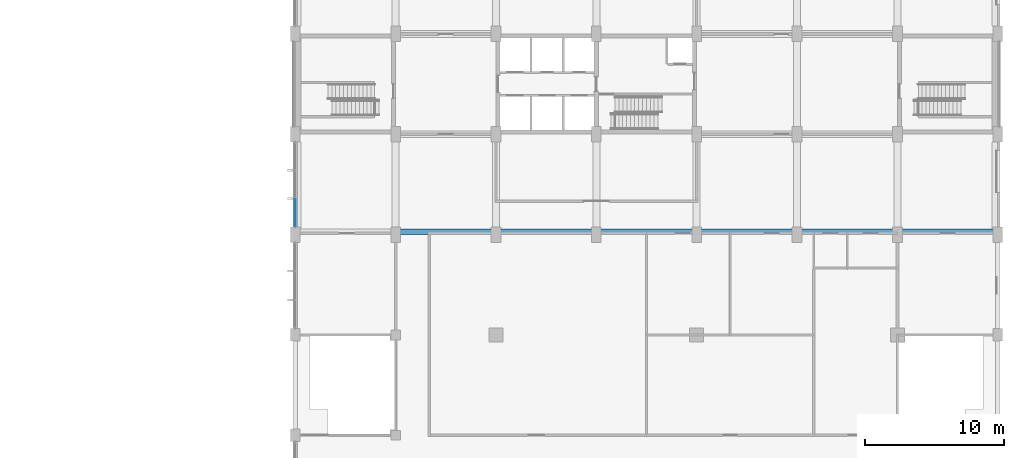
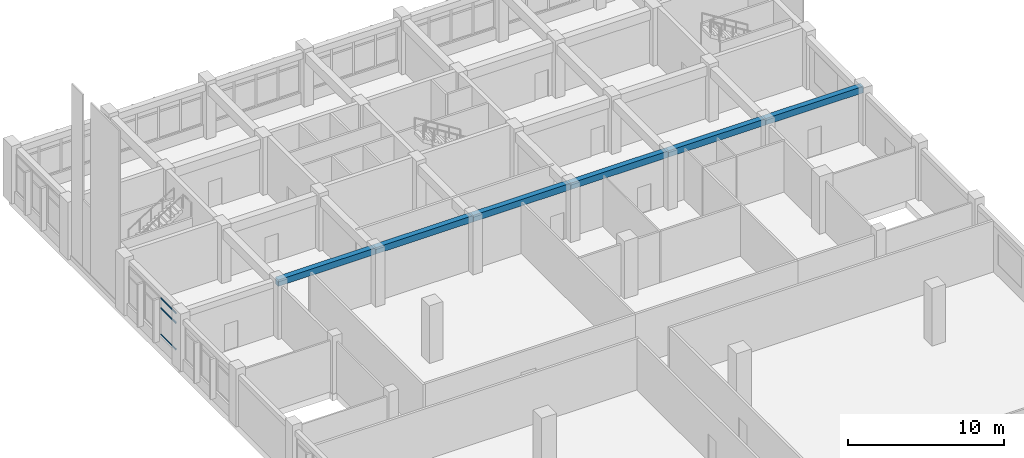
# One storey, part 16 of 52: 6 beams, 3 members, 1 element without a shape of its own.
"""IFC4 building model written with IfcOpenShell, lengths in metres."""

from ifc_helpers import new_model, si_unit, direction, frame, origin, origin_2d, place, context, subcontext, project, spatial, rectangle, extrude, material, layer, layer_set, material_profile, profile_set, type_object, element, aggregate, save


model = new_model("IFC4")

# Units and contexts
model_context = context("Model", 3, precision=1e-05, world=origin(), true_north=direction((0.0, 1.0)))
body_context = subcontext(model_context, "Body", "Model", "MODEL_VIEW")
ifc_project = project(units=[si_unit("LENGTHUNIT", "METRE"), si_unit("AREAUNIT", "SQUARE_METRE"), si_unit("VOLUMEUNIT", "CUBIC_METRE"), si_unit("PLANEANGLEUNIT", "RADIAN"), si_unit("MASSUNIT", "GRAM", prefix="KILO")], contexts=[model_context])

# Site, building, storey
site_placement = place(None, origin())
site = spatial("IfcSite", under=ifc_project, at=site_placement, CompositionType="ELEMENT")
building_placement = place(site_placement, origin())
building = spatial("IfcBuilding", under=site, at=building_placement, Name="Vermilion Court Aquatics Centre", CompositionType="ELEMENT")
storey_placement = place(building_placement, frame((0.0, 0.0, 12.0)))
storey = spatial("IfcBuildingStorey", under=building, at=storey_placement, Name="L02", CompositionType="ELEMENT", Elevation=12.0)

# Beams
ifc_material_1 = material(Name="Concrete 6000 psi", Category="concrete")
ifc_material_profile_1 = material_profile(ifc_material_1, rectangle(XDim=0.39990234375, YDim=0.5, at=origin_2d()), Name="RC 400x500")
ifc_profile_set_1 = profile_set([ifc_material_profile_1], Name="Concrete 6000 psi")
beam_type = type_object("IfcBeamType", Name="North block spandrel beam 400x500", PredefinedType="BEAM", material=ifc_profile_set_1)
beam_1_placement = place(storey_placement, frame((151.199951171875, 93.800048828125, 3.949951171875), z_axis=(1.0, 0.0, 0.0), x_axis=(0.0, 1.0, 0.0)))
element("IfcBeam", 1, at=beam_1_placement, inside=storey, type_object=beam_type, Name="Spandrel beam L03 x93.6", PredefinedType="BEAM", context=body_context, shape_type="SweptSolid", body=[
    extrude(rectangle(XDim=0.39990234375, YDim=0.5, at=origin_2d()), origin(), (0.0, 0.0, 1.0), 7.199951171875),
])
beam_2_placement = place(storey_placement, frame((158.39990234375, 93.800048828125, 3.949951171875), z_axis=(1.0, 0.0, 0.0), x_axis=(0.0, 1.0, 0.0)))
element("IfcBeam", 2, at=beam_2_placement, inside=storey, type_object=beam_type, Name="Spandrel beam L03 x93.6", PredefinedType="BEAM", context=body_context, shape_type="SweptSolid", body=[
    extrude(rectangle(XDim=0.39990234375, YDim=0.5, at=origin_2d()), origin(), (0.0, 0.0, 1.0), 7.2001953125),
])
for number, where, z_axis, x_axis, name in (
    (3, (165.60009765625, 93.800048828125, 3.949951171875), (1.0, 0.0, 0.0), (0.0, 1.0, 0.0), "Spandrel beam L03 x93.6"),
    (4, (172.800048828125, 93.800048828125, 3.949951171875), (1.0, 0.0, 0.0), (0.0, 1.0, 0.0), "Spandrel beam L03 x93.6"),
    (5, (180.0, 93.800048828125, 3.949951171875), (1.0, 0.0, 0.0), (0.0, 1.0, 0.0), "Spandrel beam L03 x93.6"),
    (6, (187.199951171875, 93.800048828125, 3.949951171875), (1.0, 0.0, 0.0), (0.0, 1.0, 0.0), "Spandrel beam L03 x93.6"),
):
    element("IfcBeam", number, at=place(storey_placement, frame(where, z_axis=z_axis, x_axis=x_axis)), inside=storey, type_object=beam_type, Name=name, PredefinedType="BEAM", context=body_context, shape_type="SweptSolid", body=[
        extrude(rectangle(XDim=0.39990234375, YDim=0.5, at=origin_2d()), origin(), (0.0, 0.0, 1.0), 7.199951171875),
    ])

# Curtain wall, members
ifc_material_2 = material(Name="Aluminium 6063-T5", Category="aluminium")
ifc_layer = layer(ifc_material_2, 0.14990234375)
ifc_layer_set = layer_set([ifc_layer], Name="Podium curtain wall bay, 1800 module")
curtain_wall_type = type_object("IfcCurtainWallType", Name="Podium curtain wall bay, 1800 module", PredefinedType="NOTDEFINED", material=ifc_layer_set)
curtain_wall_placement = place(storey_placement, origin())
curtain_wall = element("IfcCurtainWall", 7, at=curtain_wall_placement, inside=storey, type_object=curtain_wall_type, Name="Curtain wall L02", PredefinedType="NOTDEFINED")
ifc_material_3 = material(Name="Aluminium 6063-T5", Category="aluminium")
ifc_material_profile_2 = material_profile(ifc_material_3, rectangle(XDim=0.06005859375, YDim=0.1201171875, at=origin_2d()), Name="Transom 60x120")
ifc_profile_set_2 = profile_set([ifc_material_profile_2], Name="Aluminium 6063-T5")
member_type = type_object("IfcMemberType", Name="Podium curtain wall transom 60x120", PredefinedType="USERDEFINED", material=ifc_profile_set_2)
member_1_placement = place(storey_placement, frame((144.0, 94.2099609375, 0.929931640625), z_axis=(0.0, 1.0, 0.0), x_axis=(-1.0, 0.0, 0.0)))
member_1 = element("IfcMember", 8, at=member_1_placement, type_object=member_type, Name="PG2 transom 1.1", ObjectType="TRANSOM", PredefinedType="USERDEFINED", context=body_context, shape_type="SweptSolid", body=[
    extrude(rectangle(XDim=0.06005859375, YDim=0.1201171875, at=origin_2d()), origin(), (0.0, 0.0, 1.0), 1.943359375),
])
member_2_placement = place(storey_placement, frame((144.0, 94.2099609375, 3.0), z_axis=(0.0, 1.0, 0.0), x_axis=(-1.0, 0.0, 0.0)))
member_2 = element("IfcMember", 9, at=member_2_placement, type_object=member_type, Name="PG2 transom 1.2", ObjectType="TRANSOM", PredefinedType="USERDEFINED", context=body_context, shape_type="SweptSolid", body=[
    extrude(rectangle(XDim=0.06005859375, YDim=0.1201171875, at=origin_2d()), origin(), (0.0, 0.0, 1.0), 1.943359375),
])
member_3_placement = place(storey_placement, frame((144.0, 94.2099609375, 3.77001953125), z_axis=(0.0, 1.0, 0.0), x_axis=(-1.0, 0.0, 0.0)))
member_3 = element("IfcMember", 10, at=member_3_placement, type_object=member_type, Name="PG2 transom 1.3", ObjectType="TRANSOM", PredefinedType="USERDEFINED", context=body_context, shape_type="SweptSolid", body=[
    extrude(rectangle(XDim=0.06005859375, YDim=0.1201171875, at=origin_2d()), origin(), (0.0, 0.0, 1.0), 1.943359375),
])
aggregate(curtain_wall, [member_1, member_2, member_3])

save(model, "model.ifc")
